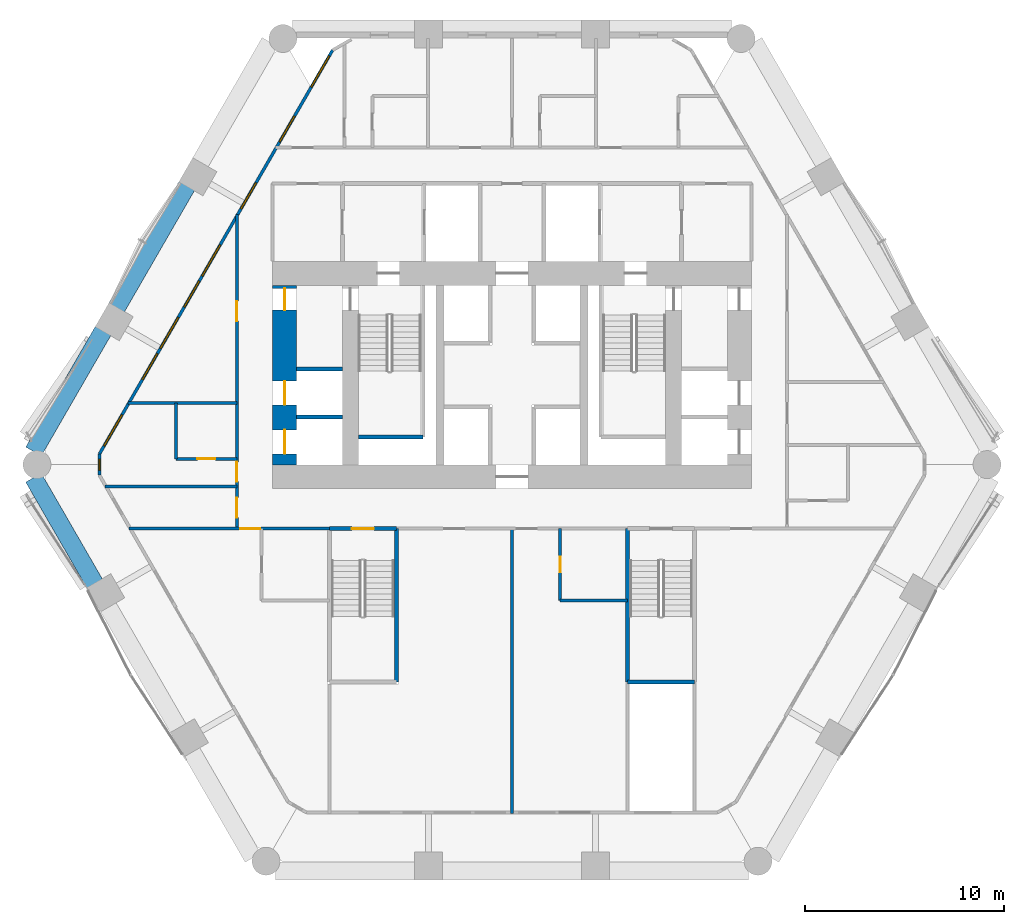
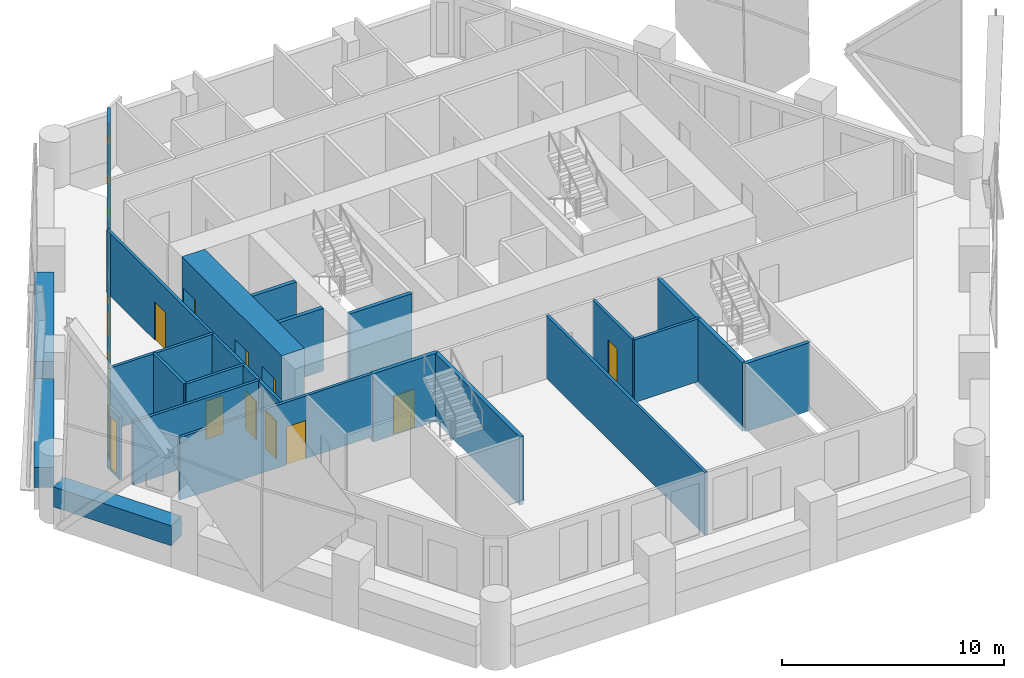
# One storey, part 9 of 16: 22 walls, 10 doors, 9 windows, 19 openings.
"""IFC4 building model written with IfcOpenShell, lengths in metres."""

import ifcopenshell
import ifcopenshell.guid

model = None  # the IFC model being written
_history = None  # IfcOwnerHistory: only IFC2X3 demands one
_inside = {}  # id of a spatial element -> (the spatial element, [elements in it])
_under = {}  # id of a project, library or spatial element -> (it, [spatial elements below it])
_declared = {}  # id of a project -> (the project, [libraries it declares])
_typed = {}  # id of a type object -> (the type object, [elements of that type])
_made_of = {}  # id of a material, layer set ... -> (it, [elements and type objects made of it])


def new_model(schema):
    """Start an empty IFC model of exactly this schema.

    Asked for "IFC4X3", IfcOpenShell would pick the latest addendum, in which some entities
    have other attributes; the version numbers below select the first issue.
    IFC2X3 requires an IfcOwnerHistory on every rooted entity: one is made here for all.
    """
    global model, _history
    if schema == "IFC4X3":
        model = ifcopenshell.file(schema_version=(4, 3, 0, 0))
    else:
        model = ifcopenshell.file(schema=schema)
    _inside.clear()
    _under.clear()
    _declared.clear()
    _typed.clear()
    _made_of.clear()
    _history = None
    if model.schema == "IFC2X3":
        org = make("IfcOrganization", Name="unknown")
        user = make(
            "IfcPersonAndOrganization",
            ThePerson=make("IfcPerson", FamilyName="unknown"),
            TheOrganization=org,
        )
        app = make(
            "IfcApplication",
            ApplicationDeveloper=org,
            Version="unknown",
            ApplicationFullName="unknown",
            ApplicationIdentifier="unknown",
        )
        _history = make(
            "IfcOwnerHistory",
            OwningUser=user,
            OwningApplication=app,
            ChangeAction="ADDED",
            CreationDate=0,
        )
    return model


def make(cls, **values):
    """One entity of the class cls with the attributes given. An attribute that is None is left unset."""
    return model.create_entity(
        cls, **{name: value for name, value in values.items() if value is not None}
    )


def rooted(cls, **values):
    """An entity with a GlobalId (a new one), such as an element, a storey or a relation."""
    return make(cls, GlobalId=ifcopenshell.guid.new(), OwnerHistory=_history, **values)


def si_unit(unit_type, name, prefix=None):
    """IfcSIUnit, for example si_unit("LENGTHUNIT", "METRE", prefix="MILLI")."""
    return make("IfcSIUnit", UnitType=unit_type, Prefix=prefix, Name=name)


def assignment(units):
    """IfcUnitAssignment: the units of a project."""
    return None if units is None else make("IfcUnitAssignment", Units=units)


def point(xyz):
    """IfcCartesianPoint."""
    return None if xyz is None else make("IfcCartesianPoint", Coordinates=xyz)


def direction(xyz):
    """IfcDirection."""
    return None if xyz is None else make("IfcDirection", DirectionRatios=xyz)


def frame(location, z_axis=None, x_axis=None):
    """IfcAxis2Placement3D, a coordinate frame: its origin and axes. An axis left out is left unset."""
    return make(
        "IfcAxis2Placement3D",
        Location=point(location),
        Axis=direction(z_axis),
        RefDirection=direction(x_axis),
    )


def frame_2d(location, x_axis=None):
    """IfcAxis2Placement2D, a coordinate frame in the plane: its origin and x axis."""
    return make(
        "IfcAxis2Placement2D", Location=point(location), RefDirection=direction(x_axis)
    )


def origin():
    """The frame at (0, 0, 0) with its axes left unset."""
    return frame((0.0, 0.0, 0.0))


def place(relative_to, where):
    """IfcLocalPlacement: puts the frame where relative to a parent placement (None: the world)."""
    return make(
        "IfcLocalPlacement", PlacementRelTo=relative_to, RelativePlacement=where
    )


def context(
    kind, dimensions, precision=None, world=None, true_north=None, identifier=None
):
    """IfcGeometricRepresentationContext, for example the 3D "Model" context."""
    return make(
        "IfcGeometricRepresentationContext",
        ContextIdentifier=identifier,
        ContextType=kind,
        CoordinateSpaceDimension=dimensions,
        Precision=precision,
        WorldCoordinateSystem=world,
        TrueNorth=true_north,
    )


def subcontext(parent, identifier, kind, view, scale=None):
    """IfcGeometricRepresentationSubContext, for example "Body" below "Model"."""
    return make(
        "IfcGeometricRepresentationSubContext",
        ContextIdentifier=identifier,
        ContextType=kind,
        ParentContext=parent,
        TargetScale=scale,
        TargetView=view,
    )


def project(units=None, contexts=None):
    """IfcProject with its units and contexts."""
    return rooted(
        "IfcProject",
        Name="project",
        RepresentationContexts=contexts,
        UnitsInContext=assignment(units),
    )


def spatial(cls, under=None, at=None, **own):
    """A site, building, storey or space (cls), placed at a placement, below another one or the project."""
    s = rooted(cls, ObjectPlacement=at, **own)
    if under is not None:
        _under.setdefault(under.id(), (under, []))[1].append(s)
    return s


def profile(cls, at=None, kind="AREA", **sizes):
    """A parametric profile (cls). Its sizes go by their IFC names, for example OverallWidth=200.0."""
    return make(cls, ProfileType=kind, Position=at, **sizes)


def rectangle(**sizes):
    """IfcRectangleProfileDef."""
    return profile("IfcRectangleProfileDef", **sizes)


def extrude(swept, where, along, depth):
    """IfcExtrudedAreaSolid: the profile swept, set in the frame where, extruded along a direction by depth."""
    return make(
        "IfcExtrudedAreaSolid",
        SweptArea=swept,
        Position=where,
        ExtrudedDirection=direction(along),
        Depth=depth,
    )


def shape(context_of_items, identifier, shape_type, items):
    """IfcShapeRepresentation: the items that make up one representation, for example the "Body"."""
    return make(
        "IfcShapeRepresentation",
        ContextOfItems=context_of_items,
        RepresentationIdentifier=identifier,
        RepresentationType=shape_type,
        Items=items,
    )


def material(Name=None, Category=None):
    """IfcMaterial."""
    return make("IfcMaterial", Name=Name, Category=Category)


def layer(
    of_material, thickness, ventilated=None, Name=None, Category=None, Priority=None
):
    """IfcMaterialLayer: one layer of a wall or slab, of a material (None: an air gap)."""
    return make(
        "IfcMaterialLayer",
        Material=of_material,
        LayerThickness=thickness,
        IsVentilated=ventilated,
        Name=Name,
        Category=Category,
        Priority=Priority,
    )


def layer_set(layers, Name=None):
    """IfcMaterialLayerSet."""
    return make("IfcMaterialLayerSet", MaterialLayers=layers, LayerSetName=Name)


def made_of(thing, what):
    """Note that an element or type object is made of a material, layer set ...; save() writes the relation."""
    if what is not None:
        _made_of.setdefault(what.id(), (what, []))[1].append(thing)
    return thing


def type_object(cls, material=None, **own):
    """A type object (cls), such as IfcWallType, which elements share."""
    return made_of(rooted(cls, **own), material)


def element(
    cls,
    number,
    at=None,
    inside=None,
    cuts=None,
    type_object=None,
    material=None,
    context=None,
    identifier="Body",
    shape_type=None,
    held_by="IfcProductDefinitionShape",
    body=None,
    shapes=None,
    **own,
):
    """One element of the class cls, such as IfcWall. Its Tag is "e" and its number.

    at: its placement. inside: the storey or other place that contains it. cuts: it is an
    opening in that element (IfcRelVoidsElement). A single representation is given by context,
    identifier, shape_type and body (its items); several are given by shapes. held_by: the class
    of the entity that holds the representations. save() writes the other relations.
    """
    e = rooted(cls, Tag="e%d" % number, ObjectPlacement=at, **own)
    if body is not None:
        shapes = [shape(context, identifier, shape_type, body)]
    if shapes is not None:
        e.Representation = make(held_by, Representations=shapes)
    if inside is not None:
        _inside.setdefault(inside.id(), (inside, []))[1].append(e)
    if cuts is not None:
        rooted(
            "IfcRelVoidsElement", RelatingBuildingElement=cuts, RelatedOpeningElement=e
        )
    if type_object is not None:
        _typed.setdefault(type_object.id(), (type_object, []))[1].append(e)
    return made_of(e, material)


def fill(opening, filler):
    """IfcRelFillsElement: the door or window that sits in an opening."""
    return rooted(
        "IfcRelFillsElement",
        RelatingOpeningElement=opening,
        RelatedBuildingElement=filler,
    )


def aggregate(whole, parts):
    """IfcRelAggregates: a whole, such as a stair, and the parts it consists of."""
    return rooted("IfcRelAggregates", RelatingObject=whole, RelatedObjects=parts)


def save(model, path):
    """Write the relations noted so far, then the file.

    IfcRelAggregates (storeys below a building ...), IfcRelContainedInSpatialStructure (elements
    in a storey), IfcRelDefinesByType, IfcRelAssociatesMaterial and IfcRelDeclares: one each for
    every whole, place, type object, material and project.
    """
    for whole, parts in _under.values():
        aggregate(whole, parts)
    for where, things in _inside.values():
        rooted(
            "IfcRelContainedInSpatialStructure",
            RelatedElements=things,
            RelatingStructure=where,
        )
    for kind, things in _typed.values():
        rooted("IfcRelDefinesByType", RelatedObjects=things, RelatingType=kind)
    for what, things in _made_of.values():
        rooted("IfcRelAssociatesMaterial", RelatedObjects=things, RelatingMaterial=what)
    for by, libraries in _declared.values():
        rooted("IfcRelDeclares", RelatingContext=by, RelatedDefinitions=libraries)
    model.write(path)


model = new_model("IFC4")

# Units and contexts
model_context = context("Model", 3, precision=1e-05, world=origin(), true_north=direction((0.0, 1.0)))
body_context = subcontext(model_context, "Body", "Model", "MODEL_VIEW")
ifc_project = project(units=[si_unit("LENGTHUNIT", "METRE"), si_unit("AREAUNIT", "SQUARE_METRE"), si_unit("VOLUMEUNIT", "CUBIC_METRE"), si_unit("PLANEANGLEUNIT", "RADIAN"), si_unit("MASSUNIT", "GRAM", prefix="KILO")], contexts=[model_context])

# Site, building, storey
site_placement = place(None, origin())
site = spatial("IfcSite", under=ifc_project, at=site_placement, CompositionType="ELEMENT")
building_placement = place(site_placement, origin())
building = spatial("IfcBuilding", under=site, at=building_placement, Name="Ostrander Bayou Hotel Tower", CompositionType="ELEMENT")
storey_placement = place(building_placement, frame((0.0, 0.0, 58.0)))
storey = spatial("IfcBuildingStorey", under=building, at=storey_placement, Name="L14", CompositionType="ELEMENT", Elevation=58.0)

# Wall, openings, doors
ifc_material_1 = material(Name="Concrete f'c 70 MPa", Category="concrete")
ifc_layer_1 = layer(ifc_material_1, 1.199951171875)
ifc_layer_set_1 = layer_set([ifc_layer_1], Name="CW1 core wall 1200 mm f'c 70 MPa")
wall_type_1 = type_object("IfcWallType", Name="CW1 core wall 1200 mm f'c 70 MPa", PredefinedType="SHEAR", material=ifc_layer_set_1)
wall_1_placement = place(storey_placement, frame((-11.39990234375, -0.5, -0.300048828125), z_axis=(0.0, 0.0, 1.0), x_axis=(0.0, 1.0, 0.0)))
wall_1 = element("IfcWall", 1, at=wall_1_placement, inside=storey, type_object=wall_type_1, Name="CW1 L14 RW", PredefinedType="SHEAR", context=body_context, shape_type="SweptSolid", body=[
    extrude(rectangle(XDim=9.0, YDim=1.199951171875, at=frame_2d((4.5, 0.0))), origin(), (0.0, 0.0, 1.0), 3.75),
])
opening_1_placement = place(wall_1_placement, frame((7.75, 0.0, 0.0)))
opening_1 = element("IfcOpeningElement", 2, at=opening_1_placement, cuts=wall_1, Name="Opening T12-014", PredefinedType="OPENING", context=body_context, shape_type="SweptSolid", body=[
    extrude(rectangle(XDim=1.10009765625, YDim=2.10009765625, at=frame_2d((0.550048828125, 1.050048828125))), frame((0.0, 0.60009765625, 0.0), z_axis=(0.0, -1.0, 0.0), x_axis=(1.0, 0.0, 0.0)), (0.0, 0.0, 1.0), 1.199951171875),
])
opening_2_placement = place(wall_1_placement, frame((0.550048828125, 0.0, 0.0)))
opening_2 = element("IfcOpeningElement", 3, at=opening_2_placement, cuts=wall_1, Name="Opening T12-015", PredefinedType="OPENING", context=body_context, shape_type="SweptSolid", body=[
    extrude(rectangle(XDim=1.199951171875, YDim=2.10009765625, at=frame_2d((0.60009765625, 1.050048828125))), frame((0.0, 0.60009765625, 0.0), z_axis=(0.0, -1.0, 0.0), x_axis=(1.0, 0.0, 0.0)), (0.0, 0.0, 1.0), 1.199951171875),
])
opening_3_placement = place(wall_1_placement, frame((3.0, 0.0, 0.0)))
opening_3 = element("IfcOpeningElement", 4, at=opening_3_placement, cuts=wall_1, Name="Opening T12-016", PredefinedType="OPENING", context=body_context, shape_type="SweptSolid", body=[
    extrude(rectangle(XDim=1.199951171875, YDim=2.10009765625, at=frame_2d((0.60009765625, 1.050048828125))), frame((0.0, 0.60009765625, 0.0), z_axis=(0.0, -1.0, 0.0), x_axis=(1.0, 0.0, 0.0)), (0.0, 0.0, 1.0), 1.199951171875),
])
ifc_material_2 = material(Name="Timber door leaf", Category="wood")
door_type_1 = type_object("IfcDoorType", Name="D5 stair door 1100 x 2100 mm, 90 minute", OperationType="SINGLE_SWING_LEFT", PredefinedType="DOOR", material=ifc_material_2)
door_1_placement = place(opening_1_placement, origin())
door_1 = element("IfcDoor", 5, at=door_1_placement, inside=storey, type_object=door_type_1, Name="dr:L14:014", OperationType="SINGLE_SWING_LEFT", OverallHeight=2.10009765625, OverallWidth=1.10009765625, PredefinedType="DOOR", context=body_context, shape_type="SweptSolid", body=[
    extrude(rectangle(XDim=1.10009765625, YDim=2.10009765625, at=frame_2d((0.550048828125, 1.050048828125))), frame((0.0, 0.02490234375, 0.0), z_axis=(0.0, -1.0, 0.0), x_axis=(1.0, 0.0, 0.0)), (0.0, 0.0, 1.0), 0.050048828125),
])
fill(opening_1, door_1)
ifc_material_3 = material(Name="Stainless steel sliding door", Category="steel")
door_type_2 = type_object("IfcDoorType", Name="LD1 lift landing door 1200 x 2100 mm", OperationType="SINGLE_SWING_LEFT", PredefinedType="DOOR", material=ifc_material_3)
door_2_placement = place(opening_2_placement, origin())
door_2 = element("IfcDoor", 6, at=door_2_placement, inside=storey, type_object=door_type_2, Name="dr:L14:015", OperationType="SLIDING_TO_LEFT", OverallHeight=2.10009765625, OverallWidth=1.199951171875, PredefinedType="DOOR", context=body_context, shape_type="SweptSolid", body=[
    extrude(rectangle(XDim=1.199951171875, YDim=2.10009765625, at=frame_2d((0.60009765625, 1.050048828125))), frame((0.0, 0.02490234375, 0.0), z_axis=(0.0, -1.0, 0.0), x_axis=(1.0, 0.0, 0.0)), (0.0, 0.0, 1.0), 0.050048828125),
])
fill(opening_2, door_2)
door_3_placement = place(opening_3_placement, origin())
door_3 = element("IfcDoor", 7, at=door_3_placement, inside=storey, type_object=door_type_2, Name="dr:L14:016", OperationType="SLIDING_TO_LEFT", OverallHeight=2.10009765625, OverallWidth=1.199951171875, PredefinedType="DOOR", context=body_context, shape_type="SweptSolid", body=[
    extrude(rectangle(XDim=1.199951171875, YDim=2.10009765625, at=frame_2d((0.60009765625, 1.050048828125))), frame((0.0, 0.02490234375, 0.0), z_axis=(0.0, -1.0, 0.0), x_axis=(1.0, 0.0, 0.0)), (0.0, 0.0, 1.0), 0.050048828125),
])
fill(opening_3, door_3)

# Wall, openings, windows
ifc_material_4 = material(Name="Aluminium framed insulated wall", Category="aluminium")
ifc_layer_2 = layer(ifc_material_4, 0.14990234375)
ifc_layer_set_2 = layer_set([ifc_layer_2], Name="GW1 glass-line wall 150 mm")
wall_type_2 = type_object("IfcWallType", Name="GW1 glass-line wall 150 mm", PredefinedType="SOLIDWALL", material=ifc_layer_set_2)
wall_2_placement = place(storey_placement, frame((-8.99267578125, 20.29248046875, 0.0), z_axis=(0.0, 0.0, 1.0), x_axis=(-0.49999960747, -0.866025630412, 0.0)))
wall_2 = element("IfcWall", 8, at=wall_2_placement, inside=storey, type_object=wall_type_2, Name="GW1 L14 NW 1", PredefinedType="SOLIDWALL", context=body_context, shape_type="SweptSolid", body=[
    extrude(rectangle(XDim=23.3837890625, YDim=0.14990234375, at=frame_2d((11.69189453125, 0.0))), origin(), (0.0, 0.0, 1.0), 3.449951171875),
])
opening_4_placement = place(wall_2_placement, frame((3.8251953125, 0.0, 0.14990234375)))
opening_4 = element("IfcOpeningElement", 9, at=opening_4_placement, cuts=wall_2, Name="Opening W11", PredefinedType="OPENING", context=body_context, shape_type="SweptSolid", body=[
    extrude(rectangle(XDim=1.5, YDim=2.85009765625, at=frame_2d((0.75, 1.425048828125))), frame((0.0, 0.074951171875, 0.0), z_axis=(0.0, -1.0, 0.0), x_axis=(1.0, 0.0, 0.0)), (0.0, 0.0, 1.0), 0.14990234375),
])
opening_5_placement = place(wall_2_placement, frame((7.686767578125, 0.0, 0.14990234375)))
opening_5 = element("IfcOpeningElement", 10, at=opening_5_placement, cuts=wall_2, Name="Opening W11", PredefinedType="OPENING", context=body_context, shape_type="SweptSolid", body=[
    extrude(rectangle(XDim=1.5, YDim=2.85009765625, at=frame_2d((0.75, 1.425048828125))), frame((0.0, 0.074951171875, 0.0), z_axis=(0.0, -1.0, 0.0), x_axis=(1.0, 0.0, 0.0)), (0.0, 0.0, 1.0), 0.14990234375),
])
opening_6_placement = place(wall_2_placement, frame((11.277587890625, 0.0, 0.14990234375)))
opening_6 = element("IfcOpeningElement", 11, at=opening_6_placement, cuts=wall_2, Name="Opening W1", PredefinedType="OPENING", context=body_context, shape_type="SweptSolid", body=[
    extrude(rectangle(XDim=1.800048828125, YDim=2.85009765625, at=frame_2d((0.89990234375, 1.425048828125))), frame((0.0, 0.074951171875, 0.0), z_axis=(0.0, -1.0, 0.0), x_axis=(1.0, 0.0, 0.0)), (0.0, 0.0, 1.0), 0.14990234375),
])
opening_7_placement = place(wall_2_placement, frame((13.37744140625, 0.0, 0.14990234375)))
opening_7 = element("IfcOpeningElement", 12, at=opening_7_placement, cuts=wall_2, Name="Opening W11", PredefinedType="OPENING", context=body_context, shape_type="SweptSolid", body=[
    extrude(rectangle(XDim=1.5, YDim=2.85009765625, at=frame_2d((0.75, 1.425048828125))), frame((0.0, 0.074951171875, 0.0), z_axis=(0.0, -1.0, 0.0), x_axis=(1.0, 0.0, 0.0)), (0.0, 0.0, 1.0), 0.14990234375),
])
opening_8_placement = place(wall_2_placement, frame((15.4775390625, 0.0, 0.14990234375)))
opening_8 = element("IfcOpeningElement", 13, at=opening_8_placement, cuts=wall_2, Name="Opening W1", PredefinedType="OPENING", context=body_context, shape_type="SweptSolid", body=[
    extrude(rectangle(XDim=1.800048828125, YDim=2.85009765625, at=frame_2d((0.89990234375, 1.425048828125))), frame((0.0, 0.074951171875, 0.0), z_axis=(0.0, -1.0, 0.0), x_axis=(1.0, 0.0, 0.0)), (0.0, 0.0, 1.0), 0.14990234375),
])
opening_9_placement = place(wall_2_placement, frame((17.577392578125, 0.0, 0.14990234375)))
opening_9 = element("IfcOpeningElement", 14, at=opening_9_placement, cuts=wall_2, Name="Opening W11", PredefinedType="OPENING", context=body_context, shape_type="SweptSolid", body=[
    extrude(rectangle(XDim=1.5, YDim=2.85009765625, at=frame_2d((0.75, 1.425048828125))), frame((0.0, 0.074951171875, 0.0), z_axis=(0.0, -1.0, 0.0), x_axis=(1.0, 0.0, 0.0)), (0.0, 0.0, 1.0), 0.14990234375),
])
opening_10_placement = place(wall_2_placement, frame((0.3388671875, 0.0, 0.14990234375)))
opening_10 = element("IfcOpeningElement", 15, at=opening_10_placement, cuts=wall_2, Name="Opening W1", PredefinedType="OPENING", context=body_context, shape_type="SweptSolid", body=[
    extrude(rectangle(XDim=1.800048828125, YDim=2.72998046875, at=frame_2d((0.89990234375, 1.364990234375))), frame((0.0, 0.074951171875, 0.0), z_axis=(0.0, -1.0, 0.0), x_axis=(1.0, 0.0, 0.0)), (0.0, 0.0, 1.0), 0.14990234375),
])
opening_11_placement = place(wall_2_placement, frame((21.11962890625, 0.0, 0.14990234375)))
opening_11 = element("IfcOpeningElement", 16, at=opening_11_placement, cuts=wall_2, Name="Opening W1", PredefinedType="OPENING", context=body_context, shape_type="SweptSolid", body=[
    extrude(rectangle(XDim=1.800048828125, YDim=2.72998046875, at=frame_2d((0.89990234375, 1.364990234375))), frame((0.0, 0.074951171875, 0.0), z_axis=(0.0, -1.0, 0.0), x_axis=(1.0, 0.0, 0.0)), (0.0, 0.0, 1.0), 0.14990234375),
])
ifc_material_5 = material(Name="Aluminium and clear glass", Category="aluminium")
window_type_1 = type_object("IfcWindowType", Name="W1 fixed window 1800 mm, zone 1", PartitioningType="SINGLE_PANEL", PredefinedType="WINDOW", material=ifc_material_5)
window_1_placement = place(opening_6_placement, origin())
window_1 = element("IfcWindow", 17, at=window_1_placement, inside=storey, type_object=window_type_1, Name="W1 L14 NW 3", OverallHeight=2.85009765625, OverallWidth=1.800048828125, PartitioningType="SINGLE_PANEL", PredefinedType="WINDOW", context=body_context, shape_type="SweptSolid", body=[
    extrude(rectangle(XDim=1.800048828125, YDim=2.85009765625, at=frame_2d((0.89990234375, 1.425048828125))), frame((0.0, 0.030029296875, 0.0), z_axis=(0.0, -1.0, 0.0), x_axis=(1.0, 0.0, 0.0)), (0.0, 0.0, 1.0), 0.06005859375),
])
fill(opening_6, window_1)
window_2_placement = place(opening_8_placement, origin())
window_2 = element("IfcWindow", 18, at=window_2_placement, inside=storey, type_object=window_type_1, Name="W1 L14 NW 4", OverallHeight=2.85009765625, OverallWidth=1.800048828125, PartitioningType="SINGLE_PANEL", PredefinedType="WINDOW", context=body_context, shape_type="SweptSolid", body=[
    extrude(rectangle(XDim=1.800048828125, YDim=2.85009765625, at=frame_2d((0.89990234375, 1.425048828125))), frame((0.0, 0.030029296875, 0.0), z_axis=(0.0, -1.0, 0.0), x_axis=(1.0, 0.0, 0.0)), (0.0, 0.0, 1.0), 0.06005859375),
])
fill(opening_8, window_2)
window_3_placement = place(opening_10_placement, origin())
window_3 = element("IfcWindow", 19, at=window_3_placement, inside=storey, type_object=window_type_1, Name="W1 L14 NW E11", OverallHeight=2.72998046875, OverallWidth=1.800048828125, PartitioningType="SINGLE_PANEL", PredefinedType="WINDOW", context=body_context, shape_type="SweptSolid", body=[
    extrude(rectangle(XDim=1.800048828125, YDim=2.72998046875, at=frame_2d((0.89990234375, 1.364990234375))), frame((0.0, 0.030029296875, 0.0), z_axis=(0.0, -1.0, 0.0), x_axis=(1.0, 0.0, 0.0)), (0.0, 0.0, 1.0), 0.06005859375),
])
fill(opening_10, window_3)
window_4_placement = place(opening_11_placement, origin())
window_4 = element("IfcWindow", 20, at=window_4_placement, inside=storey, type_object=window_type_1, Name="W1 L14 NW E22", OverallHeight=2.72998046875, OverallWidth=1.800048828125, PartitioningType="SINGLE_PANEL", PredefinedType="WINDOW", context=body_context, shape_type="SweptSolid", body=[
    extrude(rectangle(XDim=1.800048828125, YDim=2.72998046875, at=frame_2d((0.89990234375, 1.364990234375))), frame((0.0, 0.030029296875, 0.0), z_axis=(0.0, -1.0, 0.0), x_axis=(1.0, 0.0, 0.0)), (0.0, 0.0, 1.0), 0.06005859375),
])
fill(opening_11, window_4)
ifc_material_6 = material(Name="Aluminium and clear glass", Category="aluminium")
window_type_2 = type_object("IfcWindowType", Name="W11 fixed window 1500 mm, bath bay, zone 1", PartitioningType="SINGLE_PANEL", PredefinedType="WINDOW", material=ifc_material_6)
window_5_placement = place(opening_4_placement, origin())
window_5 = element("IfcWindow", 21, at=window_5_placement, inside=storey, type_object=window_type_2, Name="W11 L14 NW 1", OverallHeight=2.85009765625, OverallWidth=1.5, PartitioningType="SINGLE_PANEL", PredefinedType="WINDOW", context=body_context, shape_type="SweptSolid", body=[
    extrude(rectangle(XDim=1.5, YDim=2.85009765625, at=frame_2d((0.75, 1.425048828125))), frame((0.0, 0.030029296875, 0.0), z_axis=(0.0, -1.0, 0.0), x_axis=(1.0, 0.0, 0.0)), (0.0, 0.0, 1.0), 0.06005859375),
])
fill(opening_4, window_5)
window_6_placement = place(opening_5_placement, origin())
window_6 = element("IfcWindow", 22, at=window_6_placement, inside=storey, type_object=window_type_2, Name="W11 L14 NW 2", OverallHeight=2.85009765625, OverallWidth=1.5, PartitioningType="SINGLE_PANEL", PredefinedType="WINDOW", context=body_context, shape_type="SweptSolid", body=[
    extrude(rectangle(XDim=1.5, YDim=2.85009765625, at=frame_2d((0.75, 1.425048828125))), frame((0.0, 0.030029296875, 0.0), z_axis=(0.0, -1.0, 0.0), x_axis=(1.0, 0.0, 0.0)), (0.0, 0.0, 1.0), 0.06005859375),
])
fill(opening_5, window_6)
window_7_placement = place(opening_7_placement, origin())
window_7 = element("IfcWindow", 23, at=window_7_placement, inside=storey, type_object=window_type_2, Name="W11 L14 NW 3", OverallHeight=2.85009765625, OverallWidth=1.5, PartitioningType="SINGLE_PANEL", PredefinedType="WINDOW", context=body_context, shape_type="SweptSolid", body=[
    extrude(rectangle(XDim=1.5, YDim=2.85009765625, at=frame_2d((0.75, 1.425048828125))), frame((0.0, 0.030029296875, 0.0), z_axis=(0.0, -1.0, 0.0), x_axis=(1.0, 0.0, 0.0)), (0.0, 0.0, 1.0), 0.06005859375),
])
fill(opening_7, window_7)
window_8_placement = place(opening_9_placement, origin())
window_8 = element("IfcWindow", 24, at=window_8_placement, inside=storey, type_object=window_type_2, Name="W11 L14 NW 4", OverallHeight=2.85009765625, OverallWidth=1.5, PartitioningType="SINGLE_PANEL", PredefinedType="WINDOW", context=body_context, shape_type="SweptSolid", body=[
    extrude(rectangle(XDim=1.5, YDim=2.85009765625, at=frame_2d((0.75, 1.425048828125))), frame((0.0, 0.030029296875, 0.0), z_axis=(0.0, -1.0, 0.0), x_axis=(1.0, 0.0, 0.0)), (0.0, 0.0, 1.0), 0.06005859375),
])
fill(opening_9, window_8)

# Wall, opening, window
wall_3_placement = place(storey_placement, frame((-20.6845703125, 0.04150390625, 0.0), z_axis=(0.0, 0.0, 1.0), x_axis=(0.0, -1.0, 0.0)))
wall_3 = element("IfcWall", 25, at=wall_3_placement, inside=storey, type_object=wall_type_2, Name="GW1 L14 corner 2", PredefinedType="SOLIDWALL", context=body_context, shape_type="SweptSolid", body=[
    extrude(rectangle(XDim=1.06494140625, YDim=0.14990234375, at=frame_2d((0.532470703125, 0.0))), origin(), (0.0, 0.0, 1.0), 3.449951171875),
])
opening_12_placement = place(wall_3_placement, frame((0.257568359375, 0.0, 0.14990234375)))
opening_12 = element("IfcOpeningElement", 26, at=opening_12_placement, cuts=wall_3, Name="Opening W19", PredefinedType="OPENING", context=body_context, shape_type="SweptSolid", body=[
    extrude(rectangle(XDim=0.550048828125, YDim=2.85009765625, at=frame_2d((0.27490234375, 1.425048828125))), frame((0.0, 0.074951171875, 0.0), z_axis=(0.0, -1.0, 0.0), x_axis=(1.0, 0.0, 0.0)), (0.0, 0.0, 1.0), 0.14990234375),
])
ifc_material_7 = material(Name="Aluminium and clear glass", Category="aluminium")
window_type_3 = type_object("IfcWindowType", Name="W19 corner window 550 mm", PartitioningType="SINGLE_PANEL", PredefinedType="WINDOW", material=ifc_material_7)
window_9_placement = place(opening_12_placement, origin())
window_9 = element("IfcWindow", 27, at=window_9_placement, inside=storey, type_object=window_type_3, Name="W19 L14 corner 2", OverallHeight=2.85009765625, OverallWidth=0.550048828125, PartitioningType="SINGLE_PANEL", PredefinedType="WINDOW", context=body_context, shape_type="SweptSolid", body=[
    extrude(rectangle(XDim=0.550048828125, YDim=2.85009765625, at=frame_2d((0.27490234375, 1.425048828125))), frame((0.0, 0.030029296875, 0.0), z_axis=(0.0, -1.0, 0.0), x_axis=(1.0, 0.0, 0.0)), (0.0, 0.0, 1.0), 0.06005859375),
])
fill(opening_12, window_9)

# Walls
ifc_material_8 = material(Name="Concrete f'c 40 MPa", Category="concrete")
ifc_layer_3 = layer(ifc_material_8, 0.89990234375)
ifc_layer_set_3 = layer_set([ifc_layer_3], Name="PA1 stone-faced parapet 900 mm")
wall_type_3 = type_object("IfcWallType", Name="PA1 stone-faced parapet 900 mm", PredefinedType="PARAPET", material=ifc_layer_set_3)
wall_4_placement = place(storey_placement, frame((-16.3017578125, 13.482666015625, 0.0), z_axis=(0.0, 0.0, 1.0), x_axis=(-0.499997206141, -0.866027016814, 0.0)))
element("IfcWall", 28, at=wall_4_placement, inside=storey, type_object=wall_type_3, Name="PA1 L14 NW-2", PredefinedType="PARAPET", context=body_context, shape_type="SweptSolid", body=[
    extrude(rectangle(XDim=7.05078125, YDim=0.89990234375, at=frame_2d((3.525390625, 0.0))), origin(), (0.0, 0.0, 1.0), 1.10009765625),
])
wall_5_placement = place(storey_placement, frame((-20.497314453125, 6.216064453125, 0.0), z_axis=(0.0, 0.0, 1.0), x_axis=(-0.499983583635, -0.86603488157, 0.0)))
element("IfcWall", 29, at=wall_5_placement, inside=storey, type_object=wall_type_3, Name="PA1 L14 NW-3", PredefinedType="PARAPET", context=body_context, shape_type="SweptSolid", body=[
    extrude(rectangle(XDim=6.987060546875, YDim=0.89990234375, at=frame_2d((3.49365234375, 0.0))), origin(), (0.0, 0.0, 1.0), 1.10009765625),
])
ifc_material_9 = material(Name="Limestone masonry", Category="masonry")
ifc_layer_4 = layer(ifc_material_9, 0.89990234375)
ifc_layer_set_4 = layer_set([ifc_layer_4], Name="PA2 limestone parapet 900 mm")
wall_type_4 = type_object("IfcWallType", Name="PA2 limestone parapet 900 mm", PredefinedType="PARAPET", material=ifc_layer_set_4)
wall_6_placement = place(storey_placement, frame((-23.99072265625, -1.14697265625, 0.0), z_axis=(0.0, 0.0, 1.0), x_axis=(0.500007141444, -0.86602128063, 0.0)))
element("IfcWall", 30, at=wall_6_placement, inside=storey, type_object=wall_type_4, Name="PA2 L14 SW-1", PredefinedType="PARAPET", context=body_context, shape_type="SweptSolid", body=[
    extrude(rectangle(XDim=6.13671875, YDim=0.89990234375, at=frame_2d((3.068359375, 0.0))), origin(), (0.0, 0.0, 1.0), 1.10009765625),
])
ifc_material_10 = material(Name="Masonry block", Category="masonry")
ifc_layer_5 = layer(ifc_material_10, 0.199951171875)
ifc_layer_set_5 = layer_set([ifc_layer_5], Name="PT6 lift shaft wall 200 mm masonry, 2 hour")
wall_type_5 = type_object("IfcWallType", Name="PT6 lift shaft wall 200 mm masonry, 2 hour", PredefinedType="PARTITIONING", material=ifc_layer_set_5)
for number, where, z_axis, x_axis, name in (
    (31, (-10.800048828125, 1.89990234375, 0.0), (0.0, 0.0, 1.0), (1.0, 0.0, 0.0), "cs:L14:030"),
    (32, (-10.800048828125, 4.300048828125, 0.0), (0.0, 0.0, 1.0), (1.0, 0.0, 0.0), "cs:L14:031"),
):
    element("IfcWall", number, at=place(storey_placement, frame(where, z_axis=z_axis, x_axis=x_axis)), inside=storey, type_object=wall_type_5, Name=name, PredefinedType="PARTITIONING", context=body_context, shape_type="SweptSolid", body=[
        extrude(rectangle(XDim=2.300048828125, YDim=0.199951171875, at=frame_2d((1.14990234375, 0.0))), origin(), (0.0, 0.0, 1.0), 3.449951171875),
    ])
ifc_material_11 = material(Name="Gypsum board partition", Category="finish")
ifc_layer_6 = layer(ifc_material_11, 0.14990234375)
ifc_layer_set_6 = layer_set([ifc_layer_6], Name="PT8 service band wall 150 mm, 1 hour")
wall_type_6 = type_object("IfcWallType", Name="PT8 service band wall 150 mm, 1 hour", PredefinedType="PARTITIONING", material=ifc_layer_set_6)
wall_7_placement = place(storey_placement, frame((2.409912109375, -7.300048828125, 0.0), z_axis=(0.0, 0.0, 1.0), x_axis=(1.0, 0.0, 0.0)))
element("IfcWall", 33, at=wall_7_placement, inside=storey, type_object=wall_type_6, Name="gw:L14:002", PredefinedType="PARTITIONING", context=body_context, shape_type="SweptSolid", body=[
    extrude(rectangle(XDim=3.380126953125, YDim=0.14990234375, at=frame_2d((1.68994140625, 0.0))), origin(), (0.0, 0.0, 1.0), 3.449951171875),
])

# Wall, opening, door
wall_8_placement = place(storey_placement, frame((-19.19091796875, -3.699951171875, 0.0), z_axis=(0.0, 0.0, 1.0), x_axis=(1.0, 0.0, 0.0)))
wall_8 = element("IfcWall", 34, at=wall_8_placement, inside=storey, type_object=wall_type_6, Name="gw:L14:003", PredefinedType="PARTITIONING", context=body_context, shape_type="SweptSolid", body=[
    extrude(rectangle(XDim=10.031005859375, YDim=0.14990234375, at=frame_2d((5.015625, 0.0))), origin(), (0.0, 0.0, 1.0), 3.449951171875),
])
opening_13_placement = place(wall_8_placement, frame((5.56591796875, 0.0, 0.0)))
opening_13 = element("IfcOpeningElement", 35, at=opening_13_placement, cuts=wall_8, Name="Opening T12-401", PredefinedType="OPENING", context=body_context, shape_type="SweptSolid", body=[
    extrude(rectangle(XDim=1.0, YDim=2.10009765625, at=frame_2d((0.5, 1.050048828125))), frame((0.0, 0.074951171875, 0.0), z_axis=(0.0, -1.0, 0.0), x_axis=(1.0, 0.0, 0.0)), (0.0, 0.0, 1.0), 0.14990234375),
])
ifc_material_12 = material(Name="Timber door leaf", Category="wood")
door_type_3 = type_object("IfcDoorType", Name="D1 guest room door 1000 x 2100 mm, 30 minute", OperationType="SINGLE_SWING_LEFT", PredefinedType="DOOR", material=ifc_material_12)
door_4_placement = place(opening_13_placement, origin())
door_4 = element("IfcDoor", 36, at=door_4_placement, inside=storey, type_object=door_type_3, Name="dr:L14:401", OperationType="SINGLE_SWING_LEFT", OverallHeight=2.10009765625, OverallWidth=1.0, PredefinedType="DOOR", context=body_context, shape_type="SweptSolid", body=[
    extrude(rectangle(XDim=1.0, YDim=2.10009765625, at=frame_2d((0.5, 1.050048828125))), frame((0.0, 0.02490234375, 0.0), z_axis=(0.0, -1.0, 0.0), x_axis=(1.0, 0.0, 0.0)), (0.0, 0.0, 1.0), 0.050048828125),
])
fill(opening_13, door_4)

# Wall
wall_9_placement = place(storey_placement, frame((-20.404052734375, -1.60009765625, 0.0), z_axis=(0.0, 0.0, 1.0), x_axis=(1.0, 0.0, 0.0)))
element("IfcWall", 37, at=wall_9_placement, inside=storey, type_object=wall_type_6, Name="gw:L14:007", PredefinedType="PARTITIONING", context=body_context, shape_type="SweptSolid", body=[
    extrude(rectangle(XDim=6.60400390625, YDim=0.14990234375, at=frame_2d((3.302001953125, 0.0))), origin(), (0.0, 0.0, 1.0), 3.449951171875),
])

# Wall, opening, door
wall_10_placement = place(storey_placement, frame((-16.85009765625, -0.199951171875, 0.0), z_axis=(0.0, 0.0, 1.0), x_axis=(1.0, 0.0, 0.0)))
wall_10 = element("IfcWall", 38, at=wall_10_placement, inside=storey, type_object=wall_type_6, Name="gw:L14:008", PredefinedType="PARTITIONING", context=body_context, shape_type="SweptSolid", body=[
    extrude(rectangle(XDim=3.050048828125, YDim=0.14990234375, at=frame_2d((1.52490234375, 0.0))), origin(), (0.0, 0.0, 1.0), 3.449951171875),
])
opening_14_placement = place(wall_10_placement, frame((1.074951171875, 0.0, 0.0)))
opening_14 = element("IfcOpeningElement", 39, at=opening_14_placement, cuts=wall_10, Name="Opening T12-408", PredefinedType="OPENING", context=body_context, shape_type="SweptSolid", body=[
    extrude(rectangle(XDim=0.89990234375, YDim=2.10009765625, at=frame_2d((0.449951171875, 1.050048828125))), frame((0.0, 0.074951171875, 0.0), z_axis=(0.0, -1.0, 0.0), x_axis=(1.0, 0.0, 0.0)), (0.0, 0.0, 1.0), 0.14990234375),
])
ifc_material_13 = material(Name="Timber door leaf", Category="wood")
door_type_4 = type_object("IfcDoorType", Name="D14 bathroom door 900 x 2100 mm", OperationType="SINGLE_SWING_LEFT", PredefinedType="DOOR", material=ifc_material_13)
door_5_placement = place(opening_14_placement, origin())
door_5 = element("IfcDoor", 40, at=door_5_placement, inside=storey, type_object=door_type_4, Name="dr:L14:408", OperationType="SINGLE_SWING_RIGHT", OverallHeight=2.10009765625, OverallWidth=0.89990234375, PredefinedType="DOOR", context=body_context, shape_type="SweptSolid", body=[
    extrude(rectangle(XDim=0.89990234375, YDim=2.10009765625, at=frame_2d((0.449951171875, 1.050048828125))), frame((0.0, 0.02490234375, 0.0), z_axis=(0.0, -1.0, 0.0), x_axis=(1.0, 0.0, 0.0)), (0.0, 0.0, 1.0), 0.050048828125),
])
fill(opening_14, door_5)

# Wall
wall_11_placement = place(storey_placement, frame((-19.259033203125, 2.60009765625, 0.0), z_axis=(0.0, 0.0, 1.0), x_axis=(1.0, 0.0, 0.0)))
element("IfcWall", 41, at=wall_11_placement, inside=storey, type_object=wall_type_6, Name="gw:L14:010", PredefinedType="PARTITIONING", context=body_context, shape_type="SweptSolid", body=[
    extrude(rectangle(XDim=5.458984375, YDim=0.14990234375, at=frame_2d((2.7294921875, 0.0))), origin(), (0.0, 0.0, 1.0), 3.449951171875),
])

# Wall, opening, door
wall_12_placement = place(storey_placement, frame((2.409912109375, -7.300048828125, 0.0), z_axis=(0.0, 0.0, 1.0), x_axis=(0.0, 1.0, 0.0)))
wall_12 = element("IfcWall", 42, at=wall_12_placement, inside=storey, type_object=wall_type_6, Name="gw:L14:025", PredefinedType="PARTITIONING", context=body_context, shape_type="SweptSolid", body=[
    extrude(rectangle(XDim=3.60009765625, YDim=0.14990234375, at=frame_2d((1.800048828125, 0.0))), origin(), (0.0, 0.0, 1.0), 3.449951171875),
])
opening_15_placement = place(wall_12_placement, frame((1.39990234375, 0.0, 0.0)))
opening_15 = element("IfcOpeningElement", 43, at=opening_15_placement, cuts=wall_12, Name="Opening T12-404", PredefinedType="OPENING", context=body_context, shape_type="SweptSolid", body=[
    extrude(rectangle(XDim=0.800048828125, YDim=2.10009765625, at=frame_2d((0.39990234375, 1.050048828125))), frame((0.0, 0.074951171875, 0.0), z_axis=(0.0, -1.0, 0.0), x_axis=(1.0, 0.0, 0.0)), (0.0, 0.0, 1.0), 0.14990234375),
])
ifc_material_14 = material(Name="Timber door leaf", Category="wood")
door_type_5 = type_object("IfcDoorType", Name="D2 bathroom door 800 x 2100 mm", OperationType="SINGLE_SWING_LEFT", PredefinedType="DOOR", material=ifc_material_14)
door_6_placement = place(opening_15_placement, origin())
door_6 = element("IfcDoor", 44, at=door_6_placement, inside=storey, type_object=door_type_5, Name="dr:L14:404", OperationType="SINGLE_SWING_RIGHT", OverallHeight=2.10009765625, OverallWidth=0.800048828125, PredefinedType="DOOR", context=body_context, shape_type="SweptSolid", body=[
    extrude(rectangle(XDim=0.800048828125, YDim=2.10009765625, at=frame_2d((0.39990234375, 1.050048828125))), frame((0.0, 0.02490234375, 0.0), z_axis=(0.0, -1.0, 0.0), x_axis=(1.0, 0.0, 0.0)), (0.0, 0.0, 1.0), 0.050048828125),
])
fill(opening_15, door_6)

# Wall
wall_13_placement = place(storey_placement, frame((0.0, -17.97900390625, 0.0), z_axis=(0.0, 0.0, 1.0), x_axis=(0.0, 1.0, 0.0)))
element("IfcWall", 45, at=wall_13_placement, inside=storey, type_object=wall_type_6, Name="gw:L14:027", PredefinedType="PARTITIONING", context=body_context, shape_type="SweptSolid", body=[
    extrude(rectangle(XDim=14.279052734375, YDim=0.14990234375, at=frame_2d((7.1396484375, 0.0))), origin(), (0.0, 0.0, 1.0), 3.449951171875),
])

# Wall, openings, doors
wall_14_placement = place(storey_placement, frame((-13.800048828125, -3.699951171875, 0.0), z_axis=(0.0, 0.0, 1.0), x_axis=(0.0, 1.0, 0.0)))
wall_14 = element("IfcWall", 46, at=wall_14_placement, inside=storey, type_object=wall_type_6, Name="gw:L14:035", PredefinedType="PARTITIONING", context=body_context, shape_type="SweptSolid", body=[
    extrude(rectangle(XDim=15.755859375, YDim=0.14990234375, at=frame_2d((7.8779296875, 0.0))), origin(), (0.0, 0.0, 1.0), 3.449951171875),
])
opening_16_placement = place(wall_14_placement, frame((0.550048828125, 0.0, 0.0)))
opening_16 = element("IfcOpeningElement", 47, at=opening_16_placement, cuts=wall_14, Name="Opening T12-406", PredefinedType="OPENING", context=body_context, shape_type="SweptSolid", body=[
    extrude(rectangle(XDim=1.0, YDim=2.10009765625, at=frame_2d((0.5, 1.050048828125))), frame((0.0, 0.074951171875, 0.0), z_axis=(0.0, -1.0, 0.0), x_axis=(1.0, 0.0, 0.0)), (0.0, 0.0, 1.0), 0.14990234375),
])
opening_17_placement = place(wall_14_placement, frame((2.35009765625, 0.0, 0.0)))
opening_17 = element("IfcOpeningElement", 48, at=opening_17_placement, cuts=wall_14, Name="Opening T12-407", PredefinedType="OPENING", context=body_context, shape_type="SweptSolid", body=[
    extrude(rectangle(XDim=1.0, YDim=2.10009765625, at=frame_2d((0.5, 1.050048828125))), frame((0.0, 0.074951171875, 0.0), z_axis=(0.0, -1.0, 0.0), x_axis=(1.0, 0.0, 0.0)), (0.0, 0.0, 1.0), 0.14990234375),
])
opening_18_placement = place(wall_14_placement, frame((10.406982421875, 0.0, 0.0)))
opening_18 = element("IfcOpeningElement", 49, at=opening_18_placement, cuts=wall_14, Name="Opening T12-409", PredefinedType="OPENING", context=body_context, shape_type="SweptSolid", body=[
    extrude(rectangle(XDim=1.0, YDim=2.10009765625, at=frame_2d((0.5, 1.050048828125))), frame((0.0, 0.074951171875, 0.0), z_axis=(0.0, -1.0, 0.0), x_axis=(1.0, 0.0, 0.0)), (0.0, 0.0, 1.0), 0.14990234375),
])
door_7_placement = place(opening_17_placement, origin())
door_7 = element("IfcDoor", 50, at=door_7_placement, inside=storey, type_object=door_type_3, Name="dr:L14:407", OperationType="SINGLE_SWING_LEFT", OverallHeight=2.10009765625, OverallWidth=1.0, PredefinedType="DOOR", context=body_context, shape_type="SweptSolid", body=[
    extrude(rectangle(XDim=1.0, YDim=2.10009765625, at=frame_2d((0.5, 1.050048828125))), frame((0.0, 0.02490234375, 0.0), z_axis=(0.0, -1.0, 0.0), x_axis=(1.0, 0.0, 0.0)), (0.0, 0.0, 1.0), 0.050048828125),
])
fill(opening_17, door_7)
ifc_material_15 = material(Name="Timber door leaf", Category="wood")
door_type_6 = type_object("IfcDoorType", Name="D9 service door 1000 x 2100 mm, 30 minute", OperationType="SINGLE_SWING_LEFT", PredefinedType="DOOR", material=ifc_material_15)
door_8_placement = place(opening_16_placement, origin())
door_8 = element("IfcDoor", 51, at=door_8_placement, inside=storey, type_object=door_type_6, Name="dr:L14:406", OperationType="SINGLE_SWING_LEFT", OverallHeight=2.10009765625, OverallWidth=1.0, PredefinedType="DOOR", context=body_context, shape_type="SweptSolid", body=[
    extrude(rectangle(XDim=1.0, YDim=2.10009765625, at=frame_2d((0.5, 1.050048828125))), frame((0.0, 0.02490234375, 0.0), z_axis=(0.0, -1.0, 0.0), x_axis=(1.0, 0.0, 0.0)), (0.0, 0.0, 1.0), 0.050048828125),
])
fill(opening_16, door_8)
door_9_placement = place(opening_18_placement, origin())
door_9 = element("IfcDoor", 52, at=door_9_placement, inside=storey, type_object=door_type_6, Name="dr:L14:409", OperationType="SINGLE_SWING_LEFT", OverallHeight=2.10009765625, OverallWidth=1.0, PredefinedType="DOOR", context=body_context, shape_type="SweptSolid", body=[
    extrude(rectangle(XDim=1.0, YDim=2.10009765625, at=frame_2d((0.5, 1.050048828125))), frame((0.0, 0.02490234375, 0.0), z_axis=(0.0, -1.0, 0.0), x_axis=(1.0, 0.0, 0.0)), (0.0, 0.0, 1.0), 0.050048828125),
])
fill(opening_18, door_9)

# Walls
wall_15_placement = place(storey_placement, frame((-16.85009765625, -0.199951171875, 0.0), z_axis=(0.0, 0.0, 1.0), x_axis=(0.0, 1.0, 0.0)))
element("IfcWall", 53, at=wall_15_placement, inside=storey, type_object=wall_type_6, Name="gw:L14:036", PredefinedType="PARTITIONING", context=body_context, shape_type="SweptSolid", body=[
    extrude(rectangle(XDim=2.800048828125, YDim=0.14990234375, at=frame_2d((1.39990234375, 0.0))), origin(), (0.0, 0.0, 1.0), 3.449951171875),
])
ifc_material_16 = material(Name="Concrete f'c 45 MPa", Category="concrete")
ifc_layer_7 = layer(ifc_material_16, 0.199951171875)
ifc_layer_set_7 = layer_set([ifc_layer_7], Name="SW5 stair enclosure wall 200 mm f'c 45 MPa")
wall_type_7 = type_object("IfcWallType", Name="SW5 stair enclosure wall 200 mm f'c 45 MPa", PredefinedType="SOLIDWALL", material=ifc_layer_set_7)
wall_16_placement = place(storey_placement, frame((-7.699951171875, 0.89990234375, -0.300048828125), z_axis=(0.0, 0.0, 1.0), x_axis=(1.0, 0.0, 0.0)))
element("IfcWall", 54, at=wall_16_placement, inside=storey, type_object=wall_type_7, Name="cs:L14:010", PredefinedType="SOLIDWALL", context=body_context, shape_type="SweptSolid", body=[
    extrude(rectangle(XDim=3.25, YDim=0.199951171875, at=frame_2d((1.625, 0.0))), origin(), (0.0, 0.0, 1.0), 3.75),
])
wall_17_placement = place(storey_placement, frame((5.800048828125, -3.699951171875, -0.300048828125), z_axis=(0.0, 0.0, 1.0), x_axis=(0.0, -1.0, 0.0)))
element("IfcWall", 55, at=wall_17_placement, inside=storey, type_object=wall_type_7, Name="cs:L14:014", PredefinedType="SOLIDWALL", context=body_context, shape_type="SweptSolid", body=[
    extrude(rectangle(XDim=7.699951171875, YDim=0.199951171875, at=frame_2d((3.85009765625, 0.0))), origin(), (0.0, 0.0, 1.0), 3.75),
])
wall_18_placement = place(storey_placement, frame((5.800048828125, -11.39990234375, -0.300048828125), z_axis=(0.0, 0.0, 1.0), x_axis=(1.0, 0.0, 0.0)))
element("IfcWall", 56, at=wall_18_placement, inside=storey, type_object=wall_type_7, Name="cs:L14:016", PredefinedType="SOLIDWALL", context=body_context, shape_type="SweptSolid", body=[
    extrude(rectangle(XDim=3.349853515625, YDim=0.199951171875, at=frame_2d((1.6748046875, 0.0))), origin(), (0.0, 0.0, 1.0), 3.75),
])

# Wall, opening, door
wall_19_placement = place(storey_placement, frame((-9.14990234375, -3.699951171875, -0.300048828125), z_axis=(0.0, 0.0, 1.0), x_axis=(1.0, 0.0, 0.0)))
wall_19 = element("IfcWall", 57, at=wall_19_placement, inside=storey, type_object=wall_type_7, Name="cs:L14:019", PredefinedType="SOLIDWALL", context=body_context, shape_type="SweptSolid", body=[
    extrude(rectangle(XDim=3.349853515625, YDim=0.199951171875, at=frame_2d((1.6748046875, 0.0))), origin(), (0.0, 0.0, 1.0), 3.75),
])
opening_19_placement = place(wall_19_placement, frame((1.125, 0.0, 0.0)))
opening_19 = element("IfcOpeningElement", 58, at=opening_19_placement, cuts=wall_19, Name="Opening T12-008", PredefinedType="OPENING", context=body_context, shape_type="SweptSolid", body=[
    extrude(rectangle(XDim=1.10009765625, YDim=2.10009765625, at=frame_2d((0.550048828125, 1.050048828125))), frame((0.0, 0.10009765625, 0.0), z_axis=(0.0, -1.0, 0.0), x_axis=(1.0, 0.0, 0.0)), (0.0, 0.0, 1.0), 0.199951171875),
])
door_10_placement = place(opening_19_placement, origin())
door_10 = element("IfcDoor", 59, at=door_10_placement, inside=storey, type_object=door_type_1, Name="dr:L14:008", OperationType="SINGLE_SWING_LEFT", OverallHeight=2.10009765625, OverallWidth=1.10009765625, PredefinedType="DOOR", context=body_context, shape_type="SweptSolid", body=[
    extrude(rectangle(XDim=1.10009765625, YDim=2.10009765625, at=frame_2d((0.550048828125, 1.050048828125))), frame((0.0, 0.02490234375, 0.0), z_axis=(0.0, -1.0, 0.0), x_axis=(1.0, 0.0, 0.0)), (0.0, 0.0, 1.0), 0.050048828125),
])
fill(opening_19, door_10)

# Wall
wall_20_placement = place(storey_placement, frame((-5.800048828125, -3.699951171875, -0.300048828125), z_axis=(0.0, 0.0, 1.0), x_axis=(0.0, -1.0, 0.0)))
element("IfcWall", 60, at=wall_20_placement, inside=storey, type_object=wall_type_7, Name="cs:L14:021", PredefinedType="SOLIDWALL", context=body_context, shape_type="SweptSolid", body=[
    extrude(rectangle(XDim=7.699951171875, YDim=0.199951171875, at=frame_2d((3.85009765625, 0.0))), origin(), (0.0, 0.0, 1.0), 3.75),
])

save(model, "model.ifc")
